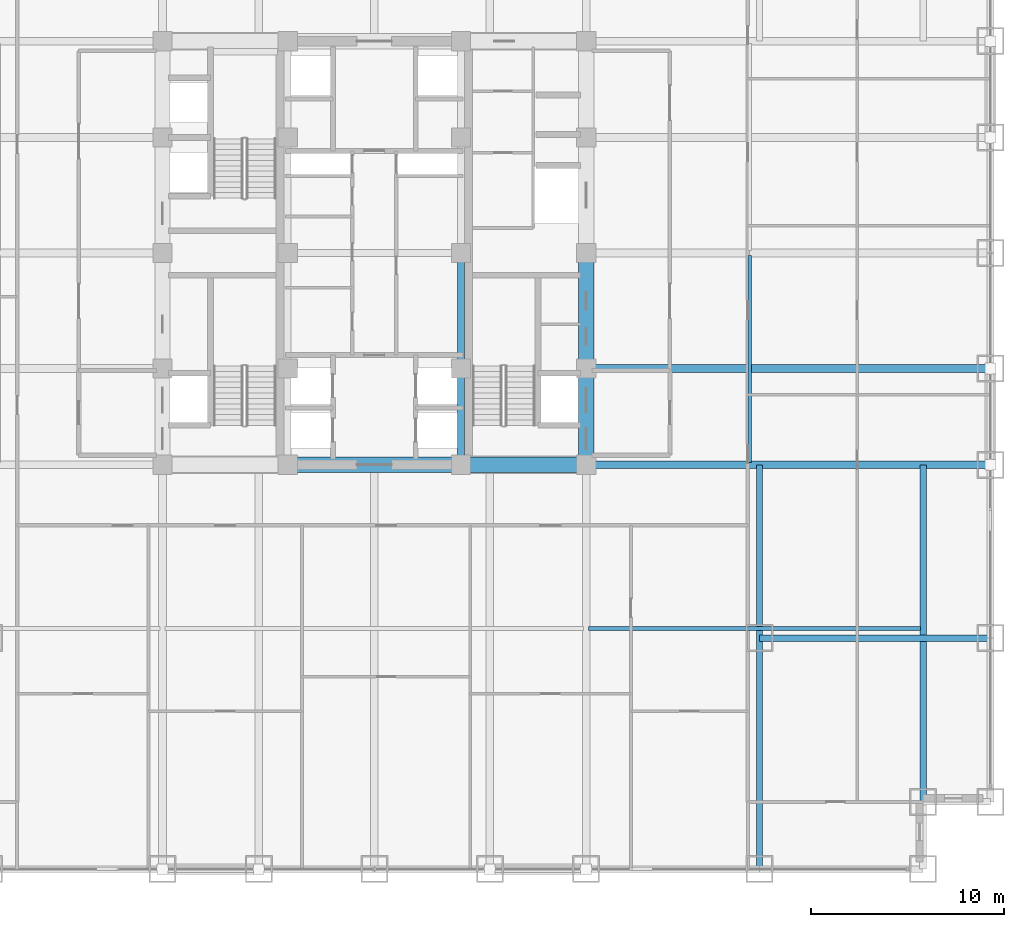
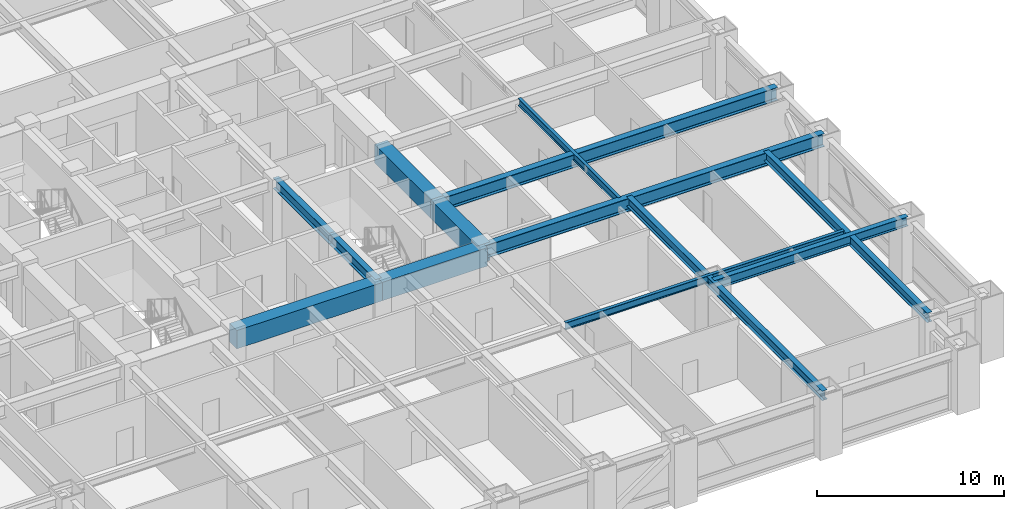
# One storey, part 7 of 28: 13 beams.
"""IFC4 building model written with IfcOpenShell, lengths in metres."""

import ifcopenshell
import ifcopenshell.guid

model = None  # the IFC model being written
_history = None  # IfcOwnerHistory: only IFC2X3 demands one
_inside = {}  # id of a spatial element -> (the spatial element, [elements in it])
_under = {}  # id of a project, library or spatial element -> (it, [spatial elements below it])
_declared = {}  # id of a project -> (the project, [libraries it declares])
_typed = {}  # id of a type object -> (the type object, [elements of that type])
_made_of = {}  # id of a material, layer set ... -> (it, [elements and type objects made of it])


def new_model(schema):
    """Start an empty IFC model of exactly this schema.

    Asked for "IFC4X3", IfcOpenShell would pick the latest addendum, in which some entities
    have other attributes; the version numbers below select the first issue.
    IFC2X3 requires an IfcOwnerHistory on every rooted entity: one is made here for all.
    """
    global model, _history
    if schema == "IFC4X3":
        model = ifcopenshell.file(schema_version=(4, 3, 0, 0))
    else:
        model = ifcopenshell.file(schema=schema)
    _inside.clear()
    _under.clear()
    _declared.clear()
    _typed.clear()
    _made_of.clear()
    _history = None
    if model.schema == "IFC2X3":
        org = make("IfcOrganization", Name="unknown")
        user = make(
            "IfcPersonAndOrganization",
            ThePerson=make("IfcPerson", FamilyName="unknown"),
            TheOrganization=org,
        )
        app = make(
            "IfcApplication",
            ApplicationDeveloper=org,
            Version="unknown",
            ApplicationFullName="unknown",
            ApplicationIdentifier="unknown",
        )
        _history = make(
            "IfcOwnerHistory",
            OwningUser=user,
            OwningApplication=app,
            ChangeAction="ADDED",
            CreationDate=0,
        )
    return model


def make(cls, **values):
    """One entity of the class cls with the attributes given. An attribute that is None is left unset."""
    return model.create_entity(
        cls, **{name: value for name, value in values.items() if value is not None}
    )


def rooted(cls, **values):
    """An entity with a GlobalId (a new one), such as an element, a storey or a relation."""
    return make(cls, GlobalId=ifcopenshell.guid.new(), OwnerHistory=_history, **values)


def si_unit(unit_type, name, prefix=None):
    """IfcSIUnit, for example si_unit("LENGTHUNIT", "METRE", prefix="MILLI")."""
    return make("IfcSIUnit", UnitType=unit_type, Prefix=prefix, Name=name)


def assignment(units):
    """IfcUnitAssignment: the units of a project."""
    return None if units is None else make("IfcUnitAssignment", Units=units)


def point(xyz):
    """IfcCartesianPoint."""
    return None if xyz is None else make("IfcCartesianPoint", Coordinates=xyz)


def direction(xyz):
    """IfcDirection."""
    return None if xyz is None else make("IfcDirection", DirectionRatios=xyz)


def frame(location, z_axis=None, x_axis=None):
    """IfcAxis2Placement3D, a coordinate frame: its origin and axes. An axis left out is left unset."""
    return make(
        "IfcAxis2Placement3D",
        Location=point(location),
        Axis=direction(z_axis),
        RefDirection=direction(x_axis),
    )


def frame_2d(location, x_axis=None):
    """IfcAxis2Placement2D, a coordinate frame in the plane: its origin and x axis."""
    return make(
        "IfcAxis2Placement2D", Location=point(location), RefDirection=direction(x_axis)
    )


def origin():
    """The frame at (0, 0, 0) with its axes left unset."""
    return frame((0.0, 0.0, 0.0))


def origin_2d():
    """The frame at (0, 0) in the plane with its x axis left unset."""
    return frame_2d((0.0, 0.0))


def place(relative_to, where):
    """IfcLocalPlacement: puts the frame where relative to a parent placement (None: the world)."""
    return make(
        "IfcLocalPlacement", PlacementRelTo=relative_to, RelativePlacement=where
    )


def context(
    kind, dimensions, precision=None, world=None, true_north=None, identifier=None
):
    """IfcGeometricRepresentationContext, for example the 3D "Model" context."""
    return make(
        "IfcGeometricRepresentationContext",
        ContextIdentifier=identifier,
        ContextType=kind,
        CoordinateSpaceDimension=dimensions,
        Precision=precision,
        WorldCoordinateSystem=world,
        TrueNorth=true_north,
    )


def subcontext(parent, identifier, kind, view, scale=None):
    """IfcGeometricRepresentationSubContext, for example "Body" below "Model"."""
    return make(
        "IfcGeometricRepresentationSubContext",
        ContextIdentifier=identifier,
        ContextType=kind,
        ParentContext=parent,
        TargetScale=scale,
        TargetView=view,
    )


def project(units=None, contexts=None):
    """IfcProject with its units and contexts."""
    return rooted(
        "IfcProject",
        Name="project",
        RepresentationContexts=contexts,
        UnitsInContext=assignment(units),
    )


def spatial(cls, under=None, at=None, **own):
    """A site, building, storey or space (cls), placed at a placement, below another one or the project."""
    s = rooted(cls, ObjectPlacement=at, **own)
    if under is not None:
        _under.setdefault(under.id(), (under, []))[1].append(s)
    return s


def profile(cls, at=None, kind="AREA", **sizes):
    """A parametric profile (cls). Its sizes go by their IFC names, for example OverallWidth=200.0."""
    return make(cls, ProfileType=kind, Position=at, **sizes)


def rectangle(**sizes):
    """IfcRectangleProfileDef."""
    return profile("IfcRectangleProfileDef", **sizes)


def i_section(**sizes):
    """IfcIShapeProfileDef."""
    return profile("IfcIShapeProfileDef", **sizes)


def extrude(swept, where, along, depth):
    """IfcExtrudedAreaSolid: the profile swept, set in the frame where, extruded along a direction by depth."""
    return make(
        "IfcExtrudedAreaSolid",
        SweptArea=swept,
        Position=where,
        ExtrudedDirection=direction(along),
        Depth=depth,
    )


def shape(context_of_items, identifier, shape_type, items):
    """IfcShapeRepresentation: the items that make up one representation, for example the "Body"."""
    return make(
        "IfcShapeRepresentation",
        ContextOfItems=context_of_items,
        RepresentationIdentifier=identifier,
        RepresentationType=shape_type,
        Items=items,
    )


def source(mapping_origin, context_of_items, identifier, shape_type, items):
    """IfcRepresentationMap: a shape defined once, which mapped items show again and again."""
    return make(
        "IfcRepresentationMap",
        MappingOrigin=mapping_origin,
        MappedRepresentation=shape(context_of_items, identifier, shape_type, items),
    )


def transform(
    local_origin,
    x_axis=None,
    y_axis=None,
    z_axis=None,
    scale=None,
    scale2=None,
    scale3=None,
    uniform=True,
):
    """IfcCartesianTransformationOperator3D, or its non-uniform kind. x_axis, y_axis, z_axis: its Axis1, 2, 3."""
    if uniform:
        return make(
            "IfcCartesianTransformationOperator3D",
            Axis1=direction(x_axis),
            Axis2=direction(y_axis),
            LocalOrigin=point(local_origin),
            Scale=scale,
            Axis3=direction(z_axis),
        )
    return make(
        "IfcCartesianTransformationOperator3DnonUniform",
        Axis1=direction(x_axis),
        Axis2=direction(y_axis),
        LocalOrigin=point(local_origin),
        Scale=scale,
        Axis3=direction(z_axis),
        Scale2=scale2,
        Scale3=scale3,
    )


def mapped(mapping_source, mapping_target):
    """IfcMappedItem: shows the shape of a source again, moved by a transform."""
    return make(
        "IfcMappedItem", MappingSource=mapping_source, MappingTarget=mapping_target
    )


def material(Name=None, Category=None):
    """IfcMaterial."""
    return make("IfcMaterial", Name=Name, Category=Category)


def material_profile(
    of_material, cross_section, Name=None, Category=None, Priority=None
):
    """IfcMaterialProfile: a cross section and its material."""
    return make(
        "IfcMaterialProfile",
        Name=Name,
        Material=of_material,
        Profile=cross_section,
        Priority=Priority,
        Category=Category,
    )


def profile_set(profiles, Name=None, composite=None):
    """IfcMaterialProfileSet."""
    return make(
        "IfcMaterialProfileSet",
        Name=Name,
        MaterialProfiles=profiles,
        CompositeProfile=composite,
    )


def made_of(thing, what):
    """Note that an element or type object is made of a material, layer set ...; save() writes the relation."""
    if what is not None:
        _made_of.setdefault(what.id(), (what, []))[1].append(thing)
    return thing


def type_object(cls, material=None, **own):
    """A type object (cls), such as IfcWallType, which elements share."""
    return made_of(rooted(cls, **own), material)


def element(
    cls,
    number,
    at=None,
    inside=None,
    cuts=None,
    type_object=None,
    material=None,
    context=None,
    identifier="Body",
    shape_type=None,
    held_by="IfcProductDefinitionShape",
    body=None,
    shapes=None,
    **own,
):
    """One element of the class cls, such as IfcWall. Its Tag is "e" and its number.

    at: its placement. inside: the storey or other place that contains it. cuts: it is an
    opening in that element (IfcRelVoidsElement). A single representation is given by context,
    identifier, shape_type and body (its items); several are given by shapes. held_by: the class
    of the entity that holds the representations. save() writes the other relations.
    """
    e = rooted(cls, Tag="e%d" % number, ObjectPlacement=at, **own)
    if body is not None:
        shapes = [shape(context, identifier, shape_type, body)]
    if shapes is not None:
        e.Representation = make(held_by, Representations=shapes)
    if inside is not None:
        _inside.setdefault(inside.id(), (inside, []))[1].append(e)
    if cuts is not None:
        rooted(
            "IfcRelVoidsElement", RelatingBuildingElement=cuts, RelatedOpeningElement=e
        )
    if type_object is not None:
        _typed.setdefault(type_object.id(), (type_object, []))[1].append(e)
    return made_of(e, material)


def aggregate(whole, parts):
    """IfcRelAggregates: a whole, such as a stair, and the parts it consists of."""
    return rooted("IfcRelAggregates", RelatingObject=whole, RelatedObjects=parts)


def save(model, path):
    """Write the relations noted so far, then the file.

    IfcRelAggregates (storeys below a building ...), IfcRelContainedInSpatialStructure (elements
    in a storey), IfcRelDefinesByType, IfcRelAssociatesMaterial and IfcRelDeclares: one each for
    every whole, place, type object, material and project.
    """
    for whole, parts in _under.values():
        aggregate(whole, parts)
    for where, things in _inside.values():
        rooted(
            "IfcRelContainedInSpatialStructure",
            RelatedElements=things,
            RelatingStructure=where,
        )
    for kind, things in _typed.values():
        rooted("IfcRelDefinesByType", RelatedObjects=things, RelatingType=kind)
    for what, things in _made_of.values():
        rooted("IfcRelAssociatesMaterial", RelatedObjects=things, RelatingMaterial=what)
    for by, libraries in _declared.values():
        rooted("IfcRelDeclares", RelatingContext=by, RelatedDefinitions=libraries)
    model.write(path)


model = new_model("IFC4")

# Units and contexts
model_context = context("Model", 3, precision=1e-05, world=origin(), true_north=direction((0.0, 1.0)))
body_context = subcontext(model_context, "Body", "Model", "MODEL_VIEW")
ifc_project = project(units=[si_unit("LENGTHUNIT", "METRE"), si_unit("AREAUNIT", "SQUARE_METRE"), si_unit("VOLUMEUNIT", "CUBIC_METRE"), si_unit("PLANEANGLEUNIT", "RADIAN"), si_unit("MASSUNIT", "GRAM", prefix="KILO")], contexts=[model_context])

# Site, building, storey
site_placement = place(None, origin())
site = spatial("IfcSite", under=ifc_project, at=site_placement, CompositionType="ELEMENT")
building_placement = place(site_placement, origin())
building = spatial("IfcBuilding", under=site, at=building_placement, Name="Khorayat Bourse Tower", CompositionType="ELEMENT")
storey_placement = place(building_placement, frame((0.0, 0.0, 83.0)))
storey = spatial("IfcBuildingStorey", under=building, at=storey_placement, Name="L18", CompositionType="ELEMENT", Elevation=83.0)

# Beams
ifc_material_1 = material(Name="Concrete C72/90", Category="concrete")
ifc_material_profile_1 = material_profile(ifc_material_1, rectangle(XDim=0.800048828125, YDim=1.199951171875, at=origin_2d()), Name="RC 800x1200")
ifc_profile_set_1 = profile_set([ifc_material_profile_1], Name="Concrete C72/90")
beam_type_1 = type_object("IfcBeamType", Name="BM-COUP-1200", PredefinedType="BEAM", material=ifc_profile_set_1)
shared_shape_1 = source(origin(), body_context, "Body", "SweptSolid", [
    extrude(rectangle(XDim=0.800048828125, YDim=1.199951171875, at=origin_2d()), origin(), (0.0, 0.0, 1.0), 5.0),
])
beam_1_placement = place(storey_placement, frame((11.0, -11.0, 3.340087890625), z_axis=(0.0, 1.0, 0.0), x_axis=(-1.0, 0.0, 0.0)))
element("IfcBeam", 1, at=beam_1_placement, inside=storey, type_object=beam_type_1, Name="L18 BM-COUP-1200 BM-L18-CRX-13", PredefinedType="BEAM", context=body_context, shape_type="MappedRepresentation", body=[
    mapped(shared_shape_1, transform((0.0, 0.0, 0.0), scale=1.0)),
])
shared_shape_2 = source(origin(), body_context, "Body", "SweptSolid", [
    extrude(rectangle(XDim=0.800048828125, YDim=1.199951171875, at=origin_2d()), origin(), (0.0, 0.0, 1.0), 6.0),
])
beam_2_placement = place(storey_placement, frame((11.0, -6.0, 3.340087890625), z_axis=(0.0, 1.0, 0.0), x_axis=(-1.0, 0.0, 0.0)))
element("IfcBeam", 2, at=beam_2_placement, inside=storey, type_object=beam_type_1, Name="L18 BM-COUP-1200 BM-L18-CRX-14", PredefinedType="BEAM", context=body_context, shape_type="MappedRepresentation", body=[
    mapped(shared_shape_2, transform((0.0, 0.0, 0.0), scale=1.0)),
])
ifc_material_2 = material(Name="Steel ASTM A992 Grade 50", Category="steel")
ifc_material_profile_2 = material_profile(ifc_material_2, i_section(OverallWidth=0.35498046875, OverallDepth=0.695068359375, WebThickness=0.015380859375, FlangeThickness=0.02490234375, FilletRadius=0.01806640625, at=origin_2d()), Name="W690X217")
ifc_profile_set_2 = profile_set([ifc_material_profile_2], Name="Steel ASTM A992 Grade 50")
beam_type_2 = type_object("IfcBeamType", Name="BM-GIRD-690", PredefinedType="BEAM", material=ifc_profile_set_2)
shared_shape_3 = source(origin(), body_context, "Body", "SweptSolid", [
    extrude(i_section(OverallWidth=0.35498046875, OverallDepth=0.695068359375, WebThickness=0.015380859375, FlangeThickness=0.02490234375, FilletRadius=0.01806640625, at=origin_2d()), origin(), (0.0, 0.0, 1.0), 5.0),
])
beam_3_placement = place(storey_placement, frame((4.5, -11.0, 3.592529296875), z_axis=(0.0, 1.0, 0.0), x_axis=(-1.0, 0.0, 0.0)))
element("IfcBeam", 3, at=beam_3_placement, inside=storey, type_object=beam_type_2, Name="L18 BM-GIRD-690 BM-L18-CRX-09", PredefinedType="BEAM", context=body_context, shape_type="MappedRepresentation", body=[
    mapped(shared_shape_3, transform((0.0, 0.0, 0.0), scale=1.0)),
])
shared_shape_4 = source(origin(), body_context, "Body", "SweptSolid", [
    extrude(i_section(OverallWidth=0.35498046875, OverallDepth=0.695068359375, WebThickness=0.015380859375, FlangeThickness=0.02490234375, FilletRadius=0.01806640625, at=origin_2d()), origin(), (0.0, 0.0, 1.0), 6.0),
])
beam_4_placement = place(storey_placement, frame((4.5, -6.0, 3.592529296875), z_axis=(0.0, 1.0, 0.0), x_axis=(-1.0, 0.0, 0.0)))
element("IfcBeam", 4, at=beam_4_placement, inside=storey, type_object=beam_type_2, Name="L18 BM-GIRD-690 BM-L18-CRX-10", PredefinedType="BEAM", context=body_context, shape_type="MappedRepresentation", body=[
    mapped(shared_shape_4, transform((0.0, 0.0, 0.0), scale=1.0)),
])
shared_shape_5 = source(origin(), body_context, "Body", "SweptSolid", [
    extrude(rectangle(XDim=0.800048828125, YDim=1.199951171875, at=origin_2d()), origin(), (0.0, 0.0, 1.0), 6.5),
])
beam_5_placement = place(storey_placement, frame((4.5, -11.0, 3.340087890625), z_axis=(1.0, 0.0, 0.0), x_axis=(0.0, 1.0, 0.0)))
element("IfcBeam", 5, at=beam_5_placement, inside=storey, type_object=beam_type_1, Name="L18 BM-COUP-1200 BM-L18-CRY-19", PredefinedType="BEAM", context=body_context, shape_type="MappedRepresentation", body=[
    mapped(shared_shape_5, transform((0.0, 0.0, 0.0), scale=1.0)),
])
shared_shape_6 = source(origin(), body_context, "Body", "SweptSolid", [
    extrude(rectangle(XDim=0.800048828125, YDim=1.199951171875, at=origin_2d()), origin(), (0.0, 0.0, 1.0), 9.0),
])
beam_6_placement = place(storey_placement, frame((-4.5, -11.0, 3.340087890625), z_axis=(1.0, 0.0, 0.0), x_axis=(0.0, 1.0, 0.0)))
element("IfcBeam", 6, at=beam_6_placement, inside=storey, type_object=beam_type_1, Name="L18 BM-COUP-1200 BM-L18-CRY-18", PredefinedType="BEAM", context=body_context, shape_type="MappedRepresentation", body=[
    mapped(shared_shape_6, transform((0.0, 0.0, 0.0), scale=1.0)),
])
ifc_material_profile_3 = material_profile(ifc_material_2, i_section(OverallWidth=0.39990234375, OverallDepth=0.85498046875, WebThickness=0.018310546875, FlangeThickness=0.029296875, FilletRadius=0.02001953125, at=origin_2d()), Name="W840X299")
ifc_profile_set_3 = profile_set([ifc_material_profile_3], Name="Steel ASTM A992 Grade 50")
beam_type_3 = type_object("IfcBeamType", Name="BM-GIRD-840", PredefinedType="BEAM", material=ifc_profile_set_3)
shared_shape_7 = source(origin(), body_context, "Body", "SweptSolid", [
    extrude(i_section(OverallWidth=0.39990234375, OverallDepth=0.85498046875, WebThickness=0.018310546875, FlangeThickness=0.029296875, FilletRadius=0.02001953125, at=origin_2d()), origin(), (0.0, 0.0, 1.0), 21.0),
])
for number, where, z_axis, x_axis, name in (
    (7, (11.0, -11.0, 3.512451171875), (1.0, 0.0, 0.0), (0.0, 1.0, 0.0), "L18 BM-GIRD-840 BM-L18-RADX-074"),
    (8, (11.0, -6.0, 3.512451171875), (1.0, 0.0, 0.0), (0.0, 1.0, 0.0), "L18 BM-GIRD-840 BM-L18-RADX-076"),
):
    element("IfcBeam", number, at=place(storey_placement, frame(where, z_axis=z_axis, x_axis=x_axis)), inside=storey, type_object=beam_type_3, Name=name, PredefinedType="BEAM", context=body_context, shape_type="MappedRepresentation", body=[
        mapped(shared_shape_7, transform((0.0, 0.0, 0.0), scale=1.0)),
    ])
ifc_material_profile_4 = material_profile(ifc_material_2, i_section(OverallWidth=0.324951171875, OverallDepth=0.615966796875, WebThickness=0.013916015625, FlangeThickness=0.021484375, FilletRadius=0.01611328125, at=origin_2d()), Name="W610X174")
ifc_profile_set_4 = profile_set([ifc_material_profile_4], Name="Steel ASTM A992 Grade 50")
beam_type_4 = type_object("IfcBeamType", Name="BM-GIRD-610", PredefinedType="BEAM", material=ifc_profile_set_4)
shared_shape_8 = source(origin(), body_context, "Body", "SweptSolid", [
    extrude(i_section(OverallWidth=0.324951171875, OverallDepth=0.615966796875, WebThickness=0.013916015625, FlangeThickness=0.021484375, FilletRadius=0.01611328125, at=origin_2d()), origin(), (0.0, 0.0, 1.0), 21.0),
])
beam_7_placement = place(storey_placement, frame((20.0, -32.0, 3.632080078125), z_axis=(0.0, 1.0, 0.0), x_axis=(-1.0, 0.0, 0.0)))
element("IfcBeam", 9, at=beam_7_placement, inside=storey, type_object=beam_type_4, Name="L18 BM-GIRD-610 BM-L18-CNRY-086", PredefinedType="BEAM", context=body_context, shape_type="MappedRepresentation", body=[
    mapped(shared_shape_8, transform((0.0, 0.0, 0.0), scale=1.0)),
])
shared_shape_9 = source(origin(), body_context, "Body", "SweptSolid", [
    extrude(i_section(OverallWidth=0.324951171875, OverallDepth=0.615966796875, WebThickness=0.013916015625, FlangeThickness=0.021484375, FilletRadius=0.01611328125, at=origin_2d()), origin(), (0.0, 0.0, 1.0), 17.5),
])
beam_8_placement = place(storey_placement, frame((28.5, -28.5, 3.632080078125), z_axis=(0.0, 1.0, 0.0), x_axis=(-1.0, 0.0, 0.0)))
element("IfcBeam", 10, at=beam_8_placement, inside=storey, type_object=beam_type_4, Name="L18 BM-GIRD-610 BM-L18-CNRY-090", PredefinedType="BEAM", context=body_context, shape_type="MappedRepresentation", body=[
    mapped(shared_shape_9, transform((0.0, 0.0, 0.0), scale=1.0)),
])
shared_shape_10 = source(origin(), body_context, "Body", "SweptSolid", [
    extrude(i_section(OverallWidth=0.324951171875, OverallDepth=0.615966796875, WebThickness=0.013916015625, FlangeThickness=0.021484375, FilletRadius=0.01611328125, at=origin_2d()), origin(), (0.0, 0.0, 1.0), 12.0),
])
beam_9_placement = place(storey_placement, frame((20.0, -20.0, 3.632080078125), z_axis=(1.0, 0.0, 0.0), x_axis=(0.0, 1.0, 0.0)))
element("IfcBeam", 11, at=beam_9_placement, inside=storey, type_object=beam_type_4, Name="L18 BM-GIRD-610 BM-L18-CNRX-092", PredefinedType="BEAM", context=body_context, shape_type="MappedRepresentation", body=[
    mapped(shared_shape_10, transform((0.0, 0.0, 0.0), scale=1.0)),
])
ifc_material_profile_5 = material_profile(ifc_material_2, i_section(OverallWidth=0.194091796875, OverallDepth=0.468994140625, WebThickness=0.0126953125, FlangeThickness=0.0205078125, FilletRadius=0.012939453125, at=origin_2d()), Name="W460X106")
ifc_profile_set_5 = profile_set([ifc_material_profile_5], Name="Steel ASTM A992 Grade 50")
beam_type_5 = type_object("IfcBeamType", Name="BM-JOIST-460", PredefinedType="JOIST", material=ifc_profile_set_5)
shared_shape_11 = source(origin(), body_context, "Body", "SweptSolid", [
    extrude(i_section(OverallWidth=0.194091796875, OverallDepth=0.468994140625, WebThickness=0.0126953125, FlangeThickness=0.0205078125, FilletRadius=0.012939453125, at=origin_2d()), origin(), (0.0, 0.0, 1.0), 17.240234375),
])
beam_10_placement = place(storey_placement, frame((11.1298828125, -19.5, 3.70556640625), z_axis=(1.0, 0.0, 0.0), x_axis=(0.0, 1.0, 0.0)))
element("IfcBeam", 12, at=beam_10_placement, inside=storey, type_object=beam_type_5, Name="L18 BM-JOIST-460 BM-L18-JSTX-098", PredefinedType="JOIST", context=body_context, shape_type="MappedRepresentation", body=[
    mapped(shared_shape_11, transform((0.0, 0.0, 0.0), scale=1.0)),
])
shared_shape_12 = source(origin(), body_context, "Body", "SweptSolid", [
    extrude(i_section(OverallWidth=0.194091796875, OverallDepth=0.468994140625, WebThickness=0.0126953125, FlangeThickness=0.0205078125, FilletRadius=0.012939453125, at=origin_2d()), origin(), (0.0, 0.0, 1.0), 10.740234375),
])
beam_11_placement = place(storey_placement, frame((19.5, -10.8701171875, 3.70556640625), z_axis=(0.0, 1.0, 0.0), x_axis=(-1.0, 0.0, 0.0)))
element("IfcBeam", 13, at=beam_11_placement, inside=storey, type_object=beam_type_5, Name="L18 BM-JOIST-460 BM-L18-JSTY-104", PredefinedType="JOIST", context=body_context, shape_type="MappedRepresentation", body=[
    mapped(shared_shape_12, transform((0.0, 0.0, 0.0), scale=1.0)),
])

save(model, "model.ifc")
